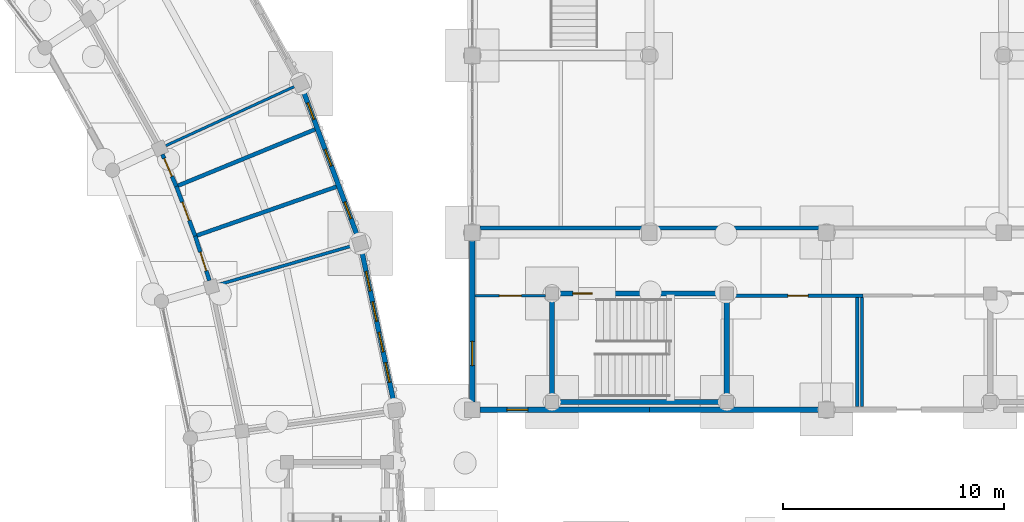
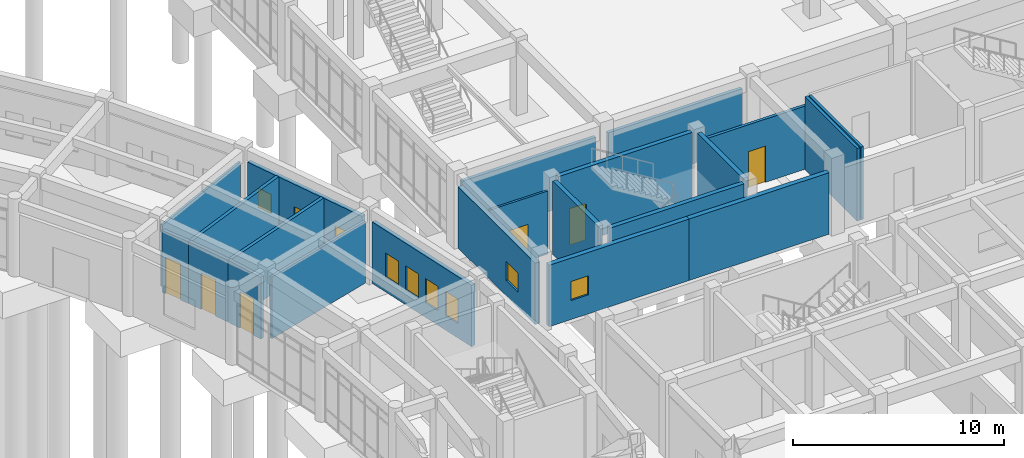
# One storey, part 135 of 153: 22 walls, 9 windows, 6 doors, 15 openings.
"""IFC4 building model written with IfcOpenShell, lengths in metres."""

from ifc_helpers import new_model, si_unit, direction, frame, frame_2d, origin, place, context, subcontext, project, spatial, rectangle, extrude, material, layer, layer_set, type_object, element, fill, save


model = new_model("IFC4")

# Units and contexts
model_context = context("Model", 3, precision=1e-05, world=origin(), true_north=direction((0.0, 1.0)))
body_context = subcontext(model_context, "Body", "Model", "MODEL_VIEW")
ifc_project = project(units=[si_unit("LENGTHUNIT", "METRE"), si_unit("AREAUNIT", "SQUARE_METRE"), si_unit("VOLUMEUNIT", "CUBIC_METRE"), si_unit("PLANEANGLEUNIT", "RADIAN"), si_unit("MASSUNIT", "GRAM", prefix="KILO")], contexts=[model_context])

# Site, building, storey
site_placement = place(None, origin())
site = spatial("IfcSite", under=ifc_project, at=site_placement, CompositionType="ELEMENT")
building_placement = place(site_placement, origin())
building = spatial("IfcBuilding", under=site, at=building_placement, Name="Celadon Cloister-Ring School", CompositionType="ELEMENT")
storey_placement = place(building_placement, origin())
storey = spatial("IfcBuildingStorey", under=building, at=storey_placement, Name="L00", CompositionType="ELEMENT", Elevation=0.0)

# Wall, opening, window
ifc_material_1 = material(Name="Rendered concrete blockwork", Category="masonry")
ifc_layer_1 = layer(ifc_material_1, 0.260009765625)
ifc_layer_set_1 = layer_set([ifc_layer_1], Name="Rendered concrete blockwork")
wall_type_1 = type_object("IfcWallType", Name="WT-EX2", PredefinedType="SOLIDWALL", material=ifc_layer_set_1)
wall_1_placement = place(storey_placement, frame((150.0, 66.0, 0.0), z_axis=(0.0, 0.0, 1.0), x_axis=(-1.0, 0.0, 0.0)))
wall_1 = element("IfcWall", 1, at=wall_1_placement, inside=storey, type_object=wall_type_1, Name="Exterior Wall 0378", PredefinedType="SOLIDWALL", context=body_context, shape_type="SweptSolid", body=[
    extrude(rectangle(XDim=7.64794921875, YDim=0.260009765625, at=frame_2d((3.823974609375, 0.0))), origin(), (0.0, 0.0, 1.0), 3.550048828125),
])
opening_1_placement = place(wall_1_placement, frame((5.489990234375, 0.0, 1.10009765625)))
opening_1 = element("IfcOpeningElement", 2, at=opening_1_placement, cuts=wall_1, Name="Opening WN-02", PredefinedType="OPENING", context=body_context, shape_type="SweptSolid", body=[
    extrude(rectangle(XDim=0.949951171875, YDim=1.10009765625, at=frame_2d((0.47509765625, 0.550048828125))), frame((0.0, 0.14013671875, 0.0), z_axis=(0.0, -1.0, 0.0), x_axis=(1.0, 0.0, 0.0)), (0.0, 0.0, 1.0), 0.280029296875),
])
ifc_material_2 = material(Name="Tempered laminated insulating glass", Category="glass")
window_type_1 = type_object("IfcWindowType", Name="WN-02", PartitioningType="SINGLE_PANEL", PredefinedType="WINDOW", material=ifc_material_2)
window_1_placement = place(opening_1_placement, origin())
window_1 = element("IfcWindow", 3, at=window_1_placement, inside=storey, type_object=window_type_1, Name="Window 0947", OverallHeight=1.10009765625, OverallWidth=0.949951171875, PartitioningType="SINGLE_PANEL", PredefinedType="WINDOW", context=body_context, shape_type="SweptSolid", body=[
    extrude(rectangle(XDim=0.949951171875, YDim=1.10009765625, at=frame_2d((0.47509765625, 0.550048828125))), frame((0.0, 0.030029296875, 0.0), z_axis=(0.0, -1.0, 0.0), x_axis=(1.0, 0.0, 0.0)), (0.0, 0.0, 1.0), 0.06005859375),
])
fill(opening_1, window_1)

# Wall
wall_2_placement = place(storey_placement, frame((157.64794921875, 66.0, 0.0), z_axis=(0.0, 0.0, 1.0), x_axis=(-1.0, 0.0, 0.0)))
element("IfcWall", 4, at=wall_2_placement, inside=storey, type_object=wall_type_1, Name="Exterior Wall 0380", PredefinedType="SOLIDWALL", context=body_context, shape_type="SweptSolid", body=[
    extrude(rectangle(XDim=7.64794921875, YDim=0.260009765625, at=frame_2d((3.823974609375, 0.0))), origin(), (0.0, 0.0, 1.0), 3.550048828125),
])

# Wall, opening, window
wall_3_placement = place(storey_placement, frame((142.0, 66.35205078125, 0.0), z_axis=(0.0, 0.0, 1.0), x_axis=(0.0, 1.0, 0.0)))
wall_3 = element("IfcWall", 5, at=wall_3_placement, inside=storey, type_object=wall_type_1, Name="Exterior Wall 0385", PredefinedType="SOLIDWALL", context=body_context, shape_type="SweptSolid", body=[
    extrude(rectangle(XDim=7.2958984375, YDim=0.260009765625, at=frame_2d((3.64794921875, 0.0))), origin(), (0.0, 0.0, 1.0), 3.550048828125),
])
opening_2_placement = place(wall_3_placement, frame((1.638916015625, 0.0, 0.89990234375)))
opening_2 = element("IfcOpeningElement", 6, at=opening_2_placement, cuts=wall_3, Name="Opening WN-03", PredefinedType="OPENING", context=body_context, shape_type="SweptSolid", body=[
    extrude(rectangle(XDim=1.10009765625, YDim=1.10009765625, at=frame_2d((0.550048828125, 0.550048828125))), frame((0.0, 0.14013671875, 0.0), z_axis=(0.0, -1.0, 0.0), x_axis=(1.0, 0.0, 0.0)), (0.0, 0.0, 1.0), 0.280029296875),
])
ifc_material_3 = material(Name="Tempered laminated insulating glass", Category="glass")
window_type_2 = type_object("IfcWindowType", Name="WN-03", PartitioningType="SINGLE_PANEL", PredefinedType="WINDOW", material=ifc_material_3)
window_2_placement = place(opening_2_placement, origin())
window_2 = element("IfcWindow", 7, at=window_2_placement, inside=storey, type_object=window_type_2, Name="Window 0949", OverallHeight=1.10009765625, OverallWidth=1.10009765625, PartitioningType="SINGLE_PANEL", PredefinedType="WINDOW", context=body_context, shape_type="SweptSolid", body=[
    extrude(rectangle(XDim=1.10009765625, YDim=1.10009765625, at=frame_2d((0.550048828125, 0.550048828125))), frame((0.0, 0.030029296875, 0.0), z_axis=(0.0, -1.0, 0.0), x_axis=(1.0, 0.0, 0.0)), (0.0, 0.0, 1.0), 0.06005859375),
])
fill(opening_2, window_2)

# Wall, openings, windows
ifc_material_4 = material(Name="Perforated terracotta clay brick masonry", Category="masonry")
ifc_layer_2 = layer(ifc_material_4, 0.219970703125)
ifc_layer_set_2 = layer_set([ifc_layer_2], Name="Perforated terracotta clay brick masonry")
wall_type_2 = type_object("IfcWallType", Name="WT-EX4", PredefinedType="SOLIDWALL", material=ifc_layer_set_2)
wall_4_placement = place(storey_placement, frame((137.0048828125, 73.178955078125, 0.0), z_axis=(0.0, 0.0, 1.0), x_axis=(0.207081302077, -0.978323736976, 0.0)))
wall_4 = element("IfcWall", 8, at=wall_4_placement, inside=storey, type_object=wall_type_2, Name="Exterior Wall 0042", PredefinedType="SOLIDWALL", context=body_context, shape_type="SweptSolid", body=[
    extrude(rectangle(XDim=7.03125, YDim=0.219970703125, at=frame_2d((3.515625, 0.0))), origin(), (0.0, 0.0, 1.0), 3.550048828125),
])
opening_3_placement = place(wall_4_placement, frame((0.9560546875, 0.0, 0.85009765625)))
opening_3 = element("IfcOpeningElement", 9, at=opening_3_placement, cuts=wall_4, Name="Opening WN-21", PredefinedType="OPENING", context=body_context, shape_type="SweptSolid", body=[
    extrude(rectangle(XDim=0.89990234375, YDim=1.39990234375, at=frame_2d((0.449951171875, 0.699951171875))), frame((0.0, 0.1201171875, 0.0), z_axis=(0.0, -1.0, 0.0), x_axis=(1.0, 0.0, 0.0)), (0.0, 0.0, 1.0), 0.239990234375),
])
opening_4_placement = place(wall_4_placement, frame((2.363037109375, 0.0, 0.85009765625)))
opening_4 = element("IfcOpeningElement", 10, at=opening_4_placement, cuts=wall_4, Name="Opening WN-21", PredefinedType="OPENING", context=body_context, shape_type="SweptSolid", body=[
    extrude(rectangle(XDim=0.89990234375, YDim=1.39990234375, at=frame_2d((0.449951171875, 0.699951171875))), frame((0.0, 0.1201171875, 0.0), z_axis=(0.0, -1.0, 0.0), x_axis=(1.0, 0.0, 0.0)), (0.0, 0.0, 1.0), 0.239990234375),
])
opening_5_placement = place(wall_4_placement, frame((3.76904296875, 0.0, 0.85009765625)))
opening_5 = element("IfcOpeningElement", 11, at=opening_5_placement, cuts=wall_4, Name="Opening WN-21", PredefinedType="OPENING", context=body_context, shape_type="SweptSolid", body=[
    extrude(rectangle(XDim=0.89990234375, YDim=1.39990234375, at=frame_2d((0.449951171875, 0.699951171875))), frame((0.0, 0.1201171875, 0.0), z_axis=(0.0, -1.0, 0.0), x_axis=(1.0, 0.0, 0.0)), (0.0, 0.0, 1.0), 0.239990234375),
])
opening_6_placement = place(wall_4_placement, frame((5.175048828125, 0.0, 0.85009765625)))
opening_6 = element("IfcOpeningElement", 12, at=opening_6_placement, cuts=wall_4, Name="Opening WN-21", PredefinedType="OPENING", context=body_context, shape_type="SweptSolid", body=[
    extrude(rectangle(XDim=0.89990234375, YDim=1.39990234375, at=frame_2d((0.449951171875, 0.699951171875))), frame((0.0, 0.1201171875, 0.0), z_axis=(0.0, -1.0, 0.0), x_axis=(1.0, 0.0, 0.0)), (0.0, 0.0, 1.0), 0.239990234375),
])
ifc_material_5 = material(Name="Tempered laminated insulating glass", Category="glass")
window_type_3 = type_object("IfcWindowType", Name="WN-21", PartitioningType="SINGLE_PANEL", PredefinedType="WINDOW", material=ifc_material_5)
window_3_placement = place(opening_3_placement, origin())
window_3 = element("IfcWindow", 13, at=window_3_placement, inside=storey, type_object=window_type_3, Name="Window 0107", OverallHeight=1.39990234375, OverallWidth=0.89990234375, PartitioningType="SINGLE_PANEL", PredefinedType="WINDOW", context=body_context, shape_type="SweptSolid", body=[
    extrude(rectangle(XDim=0.89990234375, YDim=1.39990234375, at=frame_2d((0.449951171875, 0.699951171875))), frame((0.0, 0.030029296875, 0.0), z_axis=(0.0, -1.0, 0.0), x_axis=(1.0, 0.0, 0.0)), (0.0, 0.0, 1.0), 0.06005859375),
])
fill(opening_3, window_3)
window_4_placement = place(opening_4_placement, origin())
window_4 = element("IfcWindow", 14, at=window_4_placement, inside=storey, type_object=window_type_3, Name="Window 0108", OverallHeight=1.39990234375, OverallWidth=0.89990234375, PartitioningType="SINGLE_PANEL", PredefinedType="WINDOW", context=body_context, shape_type="SweptSolid", body=[
    extrude(rectangle(XDim=0.89990234375, YDim=1.39990234375, at=frame_2d((0.449951171875, 0.699951171875))), frame((0.0, 0.030029296875, 0.0), z_axis=(0.0, -1.0, 0.0), x_axis=(1.0, 0.0, 0.0)), (0.0, 0.0, 1.0), 0.06005859375),
])
fill(opening_4, window_4)
window_5_placement = place(opening_5_placement, origin())
window_5 = element("IfcWindow", 15, at=window_5_placement, inside=storey, type_object=window_type_3, Name="Window 0109", OverallHeight=1.39990234375, OverallWidth=0.89990234375, PartitioningType="SINGLE_PANEL", PredefinedType="WINDOW", context=body_context, shape_type="SweptSolid", body=[
    extrude(rectangle(XDim=0.89990234375, YDim=1.39990234375, at=frame_2d((0.449951171875, 0.699951171875))), frame((0.0, 0.030029296875, 0.0), z_axis=(0.0, -1.0, 0.0), x_axis=(1.0, 0.0, 0.0)), (0.0, 0.0, 1.0), 0.06005859375),
])
fill(opening_5, window_5)
window_6_placement = place(opening_6_placement, origin())
window_6 = element("IfcWindow", 16, at=window_6_placement, inside=storey, type_object=window_type_3, Name="Window 0110", OverallHeight=1.39990234375, OverallWidth=0.89990234375, PartitioningType="SINGLE_PANEL", PredefinedType="WINDOW", context=body_context, shape_type="SweptSolid", body=[
    extrude(rectangle(XDim=0.89990234375, YDim=1.39990234375, at=frame_2d((0.449951171875, 0.699951171875))), frame((0.0, 0.030029296875, 0.0), z_axis=(0.0, -1.0, 0.0), x_axis=(1.0, 0.0, 0.0)), (0.0, 0.0, 1.0), 0.06005859375),
])
fill(opening_6, window_6)

wall_5_placement = place(storey_placement, frame((134.361083984375, 80.410888671875, 0.0), z_axis=(0.0, 0.0, 1.0), x_axis=(0.349448583385, -0.936955541939, 0.0)))
wall_5 = element("IfcWall", 17, at=wall_5_placement, inside=storey, type_object=wall_type_2, Name="Exterior Wall 0043", PredefinedType="SOLIDWALL", context=body_context, shape_type="SweptSolid", body=[
    extrude(rectangle(XDim=7.03125, YDim=0.219970703125, at=frame_2d((3.515625, 0.0))), origin(), (0.0, 0.0, 1.0), 3.550048828125),
])
opening_7_placement = place(wall_5_placement, frame((0.583984375, 0.0, 1.14990234375)))
opening_7 = element("IfcOpeningElement", 18, at=opening_7_placement, cuts=wall_5, Name="Opening WN-01", PredefinedType="OPENING", context=body_context, shape_type="SweptSolid", body=[
    extrude(rectangle(XDim=0.800048828125, YDim=1.10009765625, at=frame_2d((0.39990234375, 0.550048828125))), frame((0.0, 0.1201171875, 0.0), z_axis=(0.0, -1.0, 0.0), x_axis=(1.0, 0.0, 0.0)), (0.0, 0.0, 1.0), 0.239990234375),
])
opening_8_placement = place(wall_5_placement, frame((2.833984375, 0.0, 1.14990234375)))
opening_8 = element("IfcOpeningElement", 19, at=opening_8_placement, cuts=wall_5, Name="Opening WN-01", PredefinedType="OPENING", context=body_context, shape_type="SweptSolid", body=[
    extrude(rectangle(XDim=0.800048828125, YDim=1.10009765625, at=frame_2d((0.39990234375, 0.550048828125))), frame((0.0, 0.1201171875, 0.0), z_axis=(0.0, -1.0, 0.0), x_axis=(1.0, 0.0, 0.0)), (0.0, 0.0, 1.0), 0.239990234375),
])
opening_9_placement = place(wall_5_placement, frame((5.365966796875, 0.0, 1.14990234375)))
opening_9 = element("IfcOpeningElement", 20, at=opening_9_placement, cuts=wall_5, Name="Opening WN-01", PredefinedType="OPENING", context=body_context, shape_type="SweptSolid", body=[
    extrude(rectangle(XDim=0.800048828125, YDim=1.10009765625, at=frame_2d((0.39990234375, 0.550048828125))), frame((0.0, 0.1201171875, 0.0), z_axis=(0.0, -1.0, 0.0), x_axis=(1.0, 0.0, 0.0)), (0.0, 0.0, 1.0), 0.239990234375),
])
ifc_material_6 = material(Name="Tempered laminated insulating glass", Category="glass")
window_type_4 = type_object("IfcWindowType", Name="WN-01", PartitioningType="SINGLE_PANEL", PredefinedType="WINDOW", material=ifc_material_6)
window_7_placement = place(opening_7_placement, origin())
window_7 = element("IfcWindow", 21, at=window_7_placement, inside=storey, type_object=window_type_4, Name="Window 0111", OverallHeight=1.10009765625, OverallWidth=0.800048828125, PartitioningType="SINGLE_PANEL", PredefinedType="WINDOW", context=body_context, shape_type="SweptSolid", body=[
    extrude(rectangle(XDim=0.800048828125, YDim=1.10009765625, at=frame_2d((0.39990234375, 0.550048828125))), frame((0.0, 0.030029296875, 0.0), z_axis=(0.0, -1.0, 0.0), x_axis=(1.0, 0.0, 0.0)), (0.0, 0.0, 1.0), 0.06005859375),
])
fill(opening_7, window_7)
window_8_placement = place(opening_8_placement, origin())
window_8 = element("IfcWindow", 22, at=window_8_placement, inside=storey, type_object=window_type_4, Name="Window 0112", OverallHeight=1.10009765625, OverallWidth=0.800048828125, PartitioningType="SINGLE_PANEL", PredefinedType="WINDOW", context=body_context, shape_type="SweptSolid", body=[
    extrude(rectangle(XDim=0.800048828125, YDim=1.10009765625, at=frame_2d((0.39990234375, 0.550048828125))), frame((0.0, 0.030029296875, 0.0), z_axis=(0.0, -1.0, 0.0), x_axis=(1.0, 0.0, 0.0)), (0.0, 0.0, 1.0), 0.06005859375),
])
fill(opening_8, window_8)
window_9_placement = place(opening_9_placement, origin())
window_9 = element("IfcWindow", 23, at=window_9_placement, inside=storey, type_object=window_type_4, Name="Window 0113", OverallHeight=1.10009765625, OverallWidth=0.800048828125, PartitioningType="SINGLE_PANEL", PredefinedType="WINDOW", context=body_context, shape_type="SweptSolid", body=[
    extrude(rectangle(XDim=0.800048828125, YDim=1.10009765625, at=frame_2d((0.39990234375, 0.550048828125))), frame((0.0, 0.030029296875, 0.0), z_axis=(0.0, -1.0, 0.0), x_axis=(1.0, 0.0, 0.0)), (0.0, 0.0, 1.0), 0.06005859375),
])
fill(opening_9, window_9)

# Walls
ifc_material_7 = material(Name="Plastered hollow concrete masonry", Category="masonry")
ifc_layer_3 = layer(ifc_material_7, 0.179931640625)
ifc_layer_set_3 = layer_set([ifc_layer_3], Name="Plastered hollow concrete masonry")
wall_type_3 = type_object("IfcWallType", Name="WT-PT2", PredefinedType="PARTITIONING", material=ifc_layer_set_3)
wall_6_placement = place(storey_placement, frame((129.48193359375, 73.842041015625, 0.0), z_axis=(0.0, 0.0, 1.0), x_axis=(0.944038525113, 0.329835205979, 0.0)))
element("IfcWall", 24, at=wall_6_placement, inside=storey, type_object=wall_type_3, Name="Interior Wall 0450", PredefinedType="PARTITIONING", context=body_context, shape_type="SweptSolid", body=[
    extrude(rectangle(XDim=6.7548828125, YDim=0.179931640625, at=frame_2d((3.37744140625, 0.0))), origin(), (0.0, 0.0, 1.0), 3.572021484375),
])
wall_7_placement = place(storey_placement, frame((128.62890625, 76.087890625, 0.0), z_axis=(0.0, 0.0, 1.0), x_axis=(0.925130635841, 0.379648925494, 0.0)))
element("IfcWall", 25, at=wall_7_placement, inside=storey, type_object=wall_type_3, Name="Interior Wall 0451", PredefinedType="PARTITIONING", context=body_context, shape_type="SweptSolid", body=[
    extrude(rectangle(XDim=6.772216796875, YDim=0.179931640625, at=frame_2d((3.38623046875, 0.0))), origin(), (0.0, 0.0, 1.0), 3.572021484375),
])

# Wall, opening, door
wall_8_placement = place(storey_placement, frame((130.1240234375, 71.8330078125, 0.0), z_axis=(0.0, 0.0, 1.0), x_axis=(-0.304431303169, 0.952534294212, 0.0)))
wall_8 = element("IfcWall", 26, at=wall_8_placement, inside=storey, type_object=wall_type_3, Name="Interior Wall 0476", PredefinedType="PARTITIONING", context=body_context, shape_type="SweptSolid", body=[
    extrude(rectangle(XDim=2.109130859375, YDim=0.179931640625, at=frame_2d((1.0546875, 0.0))), origin(), (0.0, 0.0, 1.0), 3.572021484375),
])
opening_10_placement = place(wall_8_placement, frame((0.468994140625, 0.0, 0.0)))
opening_10 = element("IfcOpeningElement", 27, at=opening_10_placement, cuts=wall_8, Name="Opening D-0137", PredefinedType="OPENING", context=body_context, shape_type="SweptSolid", body=[
    extrude(rectangle(XDim=0.8798828125, YDim=2.10009765625, at=frame_2d((0.43994140625, 1.050048828125))), frame((0.0, 0.10009765625, 0.0), z_axis=(0.0, -1.0, 0.0), x_axis=(1.0, 0.0, 0.0)), (0.0, 0.0, 1.0), 0.199951171875),
])
ifc_material_8 = material(Name="Solid-core fire-rated hardwood leaf", Category="wood")
door_type_1 = type_object("IfcDoorType", Name="DT-01", OperationType="NOTDEFINED", PredefinedType="DOOR", material=ifc_material_8)
door_1_placement = place(opening_10_placement, origin())
door_1 = element("IfcDoor", 28, at=door_1_placement, inside=storey, type_object=door_type_1, Name="Door D-0137", OperationType="SINGLE_SWING_LEFT", OverallHeight=2.10009765625, OverallWidth=0.8798828125, PredefinedType="DOOR", context=body_context, shape_type="SweptSolid", body=[
    extrude(rectangle(XDim=0.8798828125, YDim=2.10009765625, at=frame_2d((0.43994140625, 1.050048828125))), frame((0.0, 0.02490234375, 0.0), z_axis=(0.0, -1.0, 0.0), x_axis=(1.0, 0.0, 0.0)), (0.0, 0.0, 1.0), 0.050048828125),
])
fill(opening_10, door_1)

wall_9_placement = place(storey_placement, frame((129.48193359375, 73.842041015625, 0.0), z_axis=(0.0, 0.0, 1.0), x_axis=(-0.35507389875, 0.934838235432, 0.0)))
wall_9 = element("IfcWall", 29, at=wall_9_placement, inside=storey, type_object=wall_type_3, Name="Interior Wall 0477", PredefinedType="PARTITIONING", context=body_context, shape_type="SweptSolid", body=[
    extrude(rectangle(XDim=2.40234375, YDim=0.179931640625, at=frame_2d((1.201171875, 0.0))), origin(), (0.0, 0.0, 1.0), 3.572021484375),
])
opening_11_placement = place(wall_9_placement, frame((0.760986328125, 0.0, 0.0)))
opening_11 = element("IfcOpeningElement", 30, at=opening_11_placement, cuts=wall_9, Name="Opening D-0138", PredefinedType="OPENING", context=body_context, shape_type="SweptSolid", body=[
    extrude(rectangle(XDim=0.8798828125, YDim=2.10009765625, at=frame_2d((0.43994140625, 1.050048828125))), frame((0.0, 0.10009765625, 0.0), z_axis=(0.0, -1.0, 0.0), x_axis=(1.0, 0.0, 0.0)), (0.0, 0.0, 1.0), 0.199951171875),
])
door_2_placement = place(opening_11_placement, origin())
door_2 = element("IfcDoor", 31, at=door_2_placement, inside=storey, type_object=door_type_1, Name="Door D-0138", OperationType="SINGLE_SWING_RIGHT", OverallHeight=2.10009765625, OverallWidth=0.8798828125, PredefinedType="DOOR", context=body_context, shape_type="SweptSolid", body=[
    extrude(rectangle(XDim=0.8798828125, YDim=2.10009765625, at=frame_2d((0.43994140625, 1.050048828125))), frame((0.0, 0.02490234375, 0.0), z_axis=(0.0, -1.0, 0.0), x_axis=(1.0, 0.0, 0.0)), (0.0, 0.0, 1.0), 0.050048828125),
])
fill(opening_11, door_2)

wall_10_placement = place(storey_placement, frame((128.62890625, 76.087890625, 0.0), z_axis=(0.0, 0.0, 1.0), x_axis=(-0.399054628418, 0.916927152798, 0.0)))
wall_10 = element("IfcWall", 32, at=wall_10_placement, inside=storey, type_object=wall_type_3, Name="Interior Wall 0478", PredefinedType="PARTITIONING", context=body_context, shape_type="SweptSolid", body=[
    extrude(rectangle(XDim=1.575927734375, YDim=0.179931640625, at=frame_2d((0.7880859375, 0.0))), origin(), (0.0, 0.0, 1.0), 3.572021484375),
])
opening_12_placement = place(wall_10_placement, frame((0.493896484375, 0.0, 0.0)))
opening_12 = element("IfcOpeningElement", 33, at=opening_12_placement, cuts=wall_10, Name="Opening D-0139", PredefinedType="OPENING", context=body_context, shape_type="SweptSolid", body=[
    extrude(rectangle(XDim=0.8798828125, YDim=2.10009765625, at=frame_2d((0.43994140625, 1.050048828125))), frame((0.0, 0.10009765625, 0.0), z_axis=(0.0, -1.0, 0.0), x_axis=(1.0, 0.0, 0.0)), (0.0, 0.0, 1.0), 0.199951171875),
])
door_3_placement = place(opening_12_placement, origin())
door_3 = element("IfcDoor", 34, at=door_3_placement, inside=storey, type_object=door_type_1, Name="Door D-0139", OperationType="SINGLE_SWING_LEFT", OverallHeight=2.10009765625, OverallWidth=0.8798828125, PredefinedType="DOOR", context=body_context, shape_type="SweptSolid", body=[
    extrude(rectangle(XDim=0.8798828125, YDim=2.10009765625, at=frame_2d((0.43994140625, 1.050048828125))), frame((0.0, 0.02490234375, 0.0), z_axis=(0.0, -1.0, 0.0), x_axis=(1.0, 0.0, 0.0)), (0.0, 0.0, 1.0), 0.050048828125),
])
fill(opening_12, door_3)

# Walls
for number, where, z_axis, x_axis, name in (
    (35, (157.657958984375, 74.199951171875, 0.0), (0.0, 0.0, 1.0), (-1.0, 0.0, 0.0), "Interior Wall 0876"),
    (36, (149.657958984375, 74.199951171875, 0.0), (0.0, 0.0, 1.0), (-1.0, 0.0, 0.0), "Interior Wall 0877"),
):
    element("IfcWall", number, at=place(storey_placement, frame(where, z_axis=z_axis, x_axis=x_axis)), inside=storey, type_object=wall_type_3, Name=name, PredefinedType="PARTITIONING", context=body_context, shape_type="SweptSolid", body=[
        extrude(rectangle(XDim=7.31591796875, YDim=0.179931640625, at=frame_2d((3.657958984375, 0.0))), origin(), (0.0, 0.0, 1.0), 3.402099609375),
    ])

# Wall, opening, door
ifc_material_9 = material(Name="Plastered hollow concrete masonry", Category="masonry")
ifc_layer_4 = layer(ifc_material_9, 0.159912109375)
ifc_layer_set_4 = layer_set([ifc_layer_4], Name="Plastered hollow concrete masonry")
wall_type_4 = type_object("IfcWallType", Name="WT-PT3", PredefinedType="PARTITIONING", material=ifc_layer_set_4)
wall_11_placement = place(storey_placement, frame((153.7919921875, 71.14990234375, 0.0), z_axis=(0.0, 0.0, 1.0), x_axis=(1.0, 0.0, 0.0)))
wall_11 = element("IfcWall", 37, at=wall_11_placement, inside=storey, type_object=wall_type_4, Name="Interior Wall 0878", PredefinedType="PARTITIONING", context=body_context, shape_type="SweptSolid", body=[
    extrude(rectangle(XDim=5.847900390625, YDim=0.159912109375, at=frame_2d((2.923828125, 0.0))), origin(), (0.0, 0.0, 1.0), 3.652099609375),
])
opening_13_placement = place(wall_11_placement, frame((2.464111328125, 0.0, 0.0)))
opening_13 = element("IfcOpeningElement", 38, at=opening_13_placement, cuts=wall_11, Name="Opening D-0322", PredefinedType="OPENING", context=body_context, shape_type="SweptSolid", body=[
    extrude(rectangle(XDim=0.919921875, YDim=2.10009765625, at=frame_2d((0.4599609375, 1.050048828125))), frame((0.0, 0.08984375, 0.0), z_axis=(0.0, -1.0, 0.0), x_axis=(1.0, 0.0, 0.0)), (0.0, 0.0, 1.0), 0.179931640625),
])
ifc_material_10 = material(Name="Solid-core fire-rated hardwood leaf", Category="wood")
door_type_2 = type_object("IfcDoorType", Name="DT-02", OperationType="NOTDEFINED", PredefinedType="DOOR", material=ifc_material_10)
door_4_placement = place(opening_13_placement, origin())
door_4 = element("IfcDoor", 39, at=door_4_placement, inside=storey, type_object=door_type_2, Name="Door D-0322", OperationType="SINGLE_SWING_RIGHT", OverallHeight=2.10009765625, OverallWidth=0.919921875, PredefinedType="DOOR", context=body_context, shape_type="SweptSolid", body=[
    extrude(rectangle(XDim=0.919921875, YDim=2.10009765625, at=frame_2d((0.4599609375, 1.050048828125))), frame((0.0, 0.02490234375, 0.0), z_axis=(0.0, -1.0, 0.0), x_axis=(1.0, 0.0, 0.0)), (0.0, 0.0, 1.0), 0.050048828125),
])
fill(opening_13, door_4)

# Walls
wall_12_placement = place(storey_placement, frame((159.39990234375, 71.06689453125, 0.0), z_axis=(0.0, 0.0, 1.0), x_axis=(0.0, -1.0, 0.0)))
element("IfcWall", 40, at=wall_12_placement, inside=storey, type_object=wall_type_4, Name="Interior Wall 0879", PredefinedType="PARTITIONING", context=body_context, shape_type="SweptSolid", body=[
    extrude(rectangle(XDim=4.933837890625, YDim=0.159912109375, at=frame_2d((2.466796875, 0.0))), origin(), (0.0, 0.0, 1.0), 4.199951171875),
])
ifc_material_11 = material(Name="Acoustic mineral-wool drywall partition")
ifc_layer_5 = layer(ifc_material_11, 0.139892578125)
ifc_layer_set_5 = layer_set([ifc_layer_5], Name="Acoustic mineral-wool drywall partition")
wall_type_5 = type_object("IfcWallType", Name="WT-PT4", PredefinedType="PARTITIONING", material=ifc_layer_set_5)
wall_13_placement = place(storey_placement, frame((130.492919921875, 71.635986328125, 0.0), z_axis=(0.0, 0.0, 1.0), x_axis=(0.960267345013, 0.279081755231, 0.0)))
element("IfcWall", 41, at=wall_13_placement, inside=storey, type_object=wall_type_5, Name="Interior Wall 0445", PredefinedType="PARTITIONING", context=body_context, shape_type="SweptSolid", body=[
    extrude(rectangle(XDim=6.39208984375, YDim=0.139892578125, at=frame_2d((3.196044921875, 0.0))), origin(), (0.0, 0.0, 1.0), 3.572021484375),
])
wall_14_placement = place(storey_placement, frame((159.60009765625, 66.133056640625, 0.0), z_axis=(0.0, 0.0, 1.0), x_axis=(0.0, 1.0, 0.0)))
element("IfcWall", 42, at=wall_14_placement, inside=storey, type_object=wall_type_5, Name="Interior Wall 0881", PredefinedType="PARTITIONING", context=body_context, shape_type="SweptSolid", body=[
    extrude(rectangle(XDim=4.933837890625, YDim=0.139892578125, at=frame_2d((2.466796875, 0.0))), origin(), (0.0, 0.0, 1.0), 4.199951171875),
])
ifc_material_12 = material(Name="Acoustic mineral-wool drywall partition")
ifc_layer_6 = layer(ifc_material_12, 0.1201171875)
ifc_layer_set_6 = layer_set([ifc_layer_6], Name="Acoustic mineral-wool drywall partition")
wall_type_6 = type_object("IfcWallType", Name="WT-PT5", PredefinedType="PARTITIONING", material=ifc_layer_set_6)
wall_15_placement = place(storey_placement, frame((128.14892578125, 77.923095703125, 0.0), z_axis=(0.0, 0.0, 1.0), x_axis=(0.908513073448, 0.41785642914, 0.0)))
element("IfcWall", 43, at=wall_15_placement, inside=storey, type_object=wall_type_6, Name="Interior Wall 0446", PredefinedType="PARTITIONING", context=body_context, shape_type="SweptSolid", body=[
    extrude(rectangle(XDim=6.391845703125, YDim=0.1201171875, at=frame_2d((3.19580078125, 0.0))), origin(), (0.0, 0.0, 1.0), 3.572021484375),
])

# Wall, opening, door
wall_16_placement = place(storey_placement, frame((142.133056640625, 71.14990234375, 0.0), z_axis=(0.0, 0.0, 1.0), x_axis=(1.0, 0.0, 0.0)))
wall_16 = element("IfcWall", 44, at=wall_16_placement, inside=storey, type_object=wall_type_6, Name="Interior Wall 0882", PredefinedType="PARTITIONING", context=body_context, shape_type="SweptSolid", body=[
    extrude(rectangle(XDim=3.175048828125, YDim=0.1201171875, at=frame_2d((1.58740234375, 0.0))), origin(), (0.0, 0.0, 1.0), 3.652099609375),
])
opening_14_placement = place(wall_16_placement, frame((1.0869140625, 0.0, 0.0)))
opening_14 = element("IfcOpeningElement", 45, at=opening_14_placement, cuts=wall_16, Name="Opening D-0324", PredefinedType="OPENING", context=body_context, shape_type="SweptSolid", body=[
    extrude(rectangle(XDim=1.0, YDim=2.10009765625, at=frame_2d((0.5, 1.050048828125))), frame((0.0, 0.070068359375, 0.0), z_axis=(0.0, -1.0, 0.0), x_axis=(1.0, 0.0, 0.0)), (0.0, 0.0, 1.0), 0.14013671875),
])
ifc_material_13 = material(Name="Solid-core fire-rated hardwood leaf", Category="wood")
door_type_3 = type_object("IfcDoorType", Name="DT-04", OperationType="NOTDEFINED", PredefinedType="DOOR", material=ifc_material_13)
door_5_placement = place(opening_14_placement, origin())
door_5 = element("IfcDoor", 46, at=door_5_placement, inside=storey, type_object=door_type_3, Name="Door D-0324", OperationType="SINGLE_SWING_RIGHT", OverallHeight=2.10009765625, OverallWidth=1.0, PredefinedType="DOOR", context=body_context, shape_type="SweptSolid", body=[
    extrude(rectangle(XDim=1.0, YDim=2.10009765625, at=frame_2d((0.5, 1.050048828125))), frame((0.0, 0.02490234375, 0.0), z_axis=(0.0, -1.0, 0.0), x_axis=(1.0, 0.0, 0.0)), (0.0, 0.0, 1.0), 0.050048828125),
])
fill(opening_14, door_5)

# Walls
ifc_material_14 = material(Name="Concrete C40/50", Category="concrete")
ifc_layer_7 = layer(ifc_material_14, 0.239990234375)
ifc_layer_set_7 = layer_set([ifc_layer_7], Name="Concrete C40/50")
wall_type_7 = type_object("IfcWallType", Name="WT-SH1", PredefinedType="SHEAR", material=ifc_layer_set_7)
for number, where, z_axis, x_axis, name in (
    (47, (145.60009765625, 66.64208984375, 0.0), (0.0, 0.0, 1.0), (0.0, 1.0, 0.0), "Interior Wall 0113"),
    (48, (153.5, 70.9580078125, 0.0), (0.0, 0.0, 1.0), (0.0, -1.0, 0.0), "Interior Wall 0114"),
):
    element("IfcWall", number, at=place(storey_placement, frame(where, z_axis=z_axis, x_axis=x_axis)), inside=storey, type_object=wall_type_7, Name=name, PredefinedType="SHEAR", context=body_context, shape_type="SweptSolid", body=[
        extrude(rectangle(XDim=4.31591796875, YDim=0.239990234375, at=frame_2d((2.157958984375, 0.0))), origin(), (0.0, 0.0, 1.0), 4.239990234375),
    ])
wall_17_placement = place(storey_placement, frame((153.2080078125, 66.35009765625, 0.0), z_axis=(0.0, 0.0, 1.0), x_axis=(-1.0, 0.0, 0.0)))
element("IfcWall", 49, at=wall_17_placement, inside=storey, type_object=wall_type_7, Name="Interior Wall 0115", PredefinedType="SHEAR", context=body_context, shape_type="SweptSolid", body=[
    extrude(rectangle(XDim=7.31591796875, YDim=0.239990234375, at=frame_2d((3.657958984375, 0.0))), origin(), (0.0, 0.0, 1.0), 4.239990234375),
])

# Wall, opening, door
wall_18_placement = place(storey_placement, frame((145.89208984375, 71.25, 0.0), z_axis=(0.0, 0.0, 1.0), x_axis=(1.0, 0.0, 0.0)))
wall_18 = element("IfcWall", 50, at=wall_18_placement, inside=storey, type_object=wall_type_7, Name="Interior Wall 0116", PredefinedType="SHEAR", context=body_context, shape_type="SweptSolid", body=[
    extrude(rectangle(XDim=7.31591796875, YDim=0.239990234375, at=frame_2d((3.657958984375, 0.0))), origin(), (0.0, 0.0, 1.0), 4.239990234375),
])
opening_15_placement = place(wall_18_placement, frame((0.656982421875, 0.0, 0.0)))
opening_15 = element("IfcOpeningElement", 51, at=opening_15_placement, cuts=wall_18, Name="Opening D-0061", PredefinedType="OPENING", context=body_context, shape_type="SweptSolid", body=[
    extrude(rectangle(XDim=0.8798828125, YDim=2.10009765625, at=frame_2d((0.43994140625, 1.050048828125))), frame((0.0, 0.1298828125, 0.0), z_axis=(0.0, -1.0, 0.0), x_axis=(1.0, 0.0, 0.0)), (0.0, 0.0, 1.0), 0.260009765625),
])
door_6_placement = place(opening_15_placement, origin())
door_6 = element("IfcDoor", 52, at=door_6_placement, inside=storey, type_object=door_type_1, Name="Door D-0061", OperationType="SINGLE_SWING_LEFT", OverallHeight=2.10009765625, OverallWidth=0.8798828125, PredefinedType="DOOR", context=body_context, shape_type="SweptSolid", body=[
    extrude(rectangle(XDim=0.8798828125, YDim=2.10009765625, at=frame_2d((0.43994140625, 1.050048828125))), frame((0.0, 0.02490234375, 0.0), z_axis=(0.0, -1.0, 0.0), x_axis=(1.0, 0.0, 0.0)), (0.0, 0.0, 1.0), 0.050048828125),
])
fill(opening_15, door_6)

save(model, "model.ifc")
